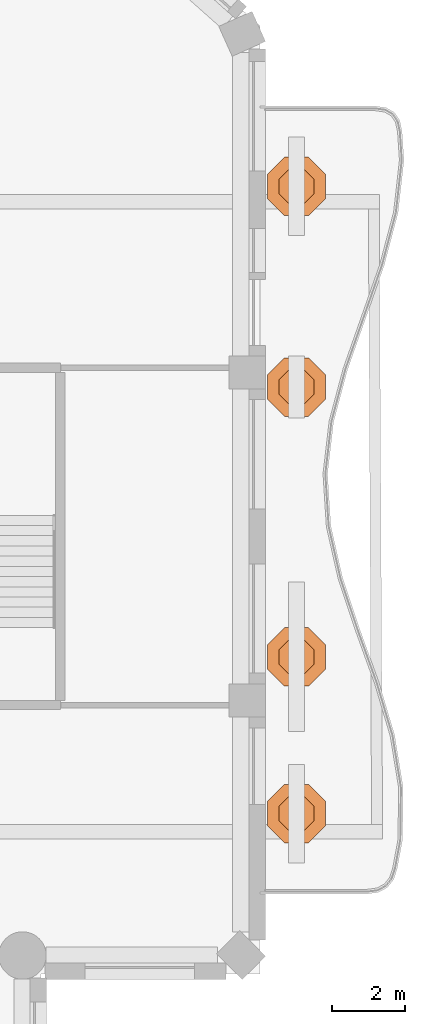
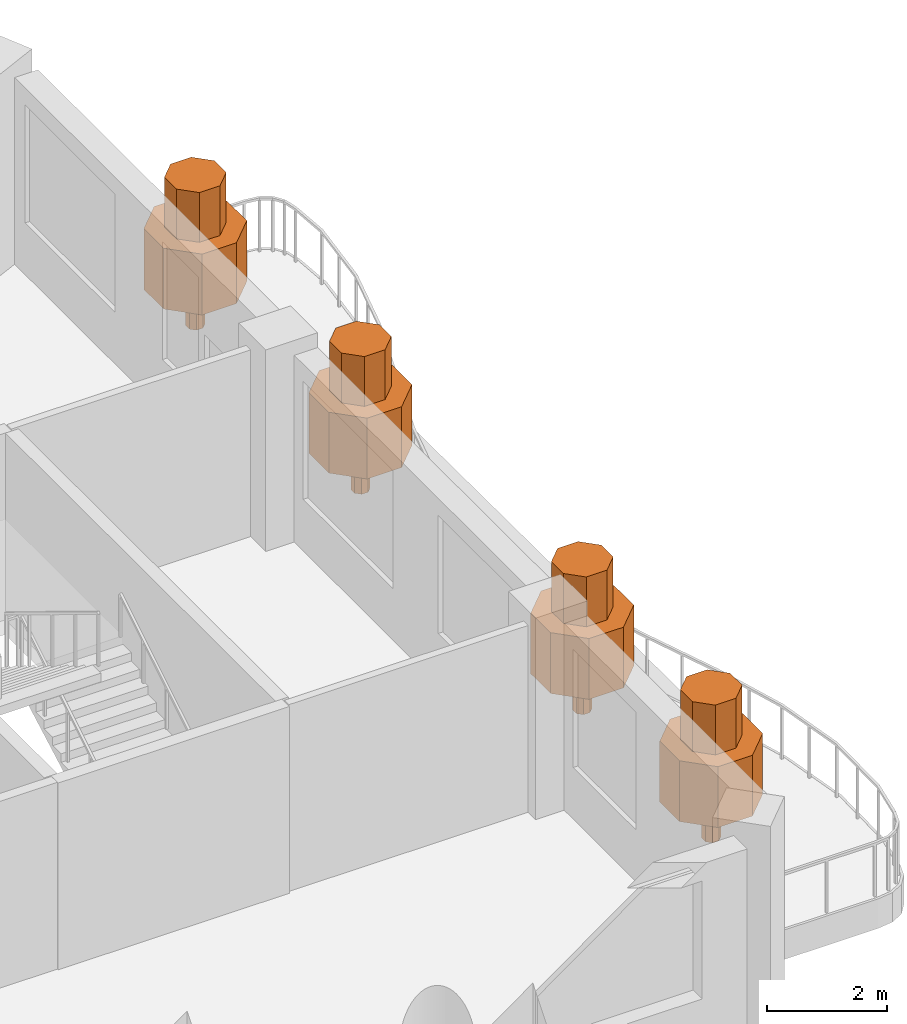
# One storey, part 14 of 14: 4 geographic elements.
"""IFC4 building model written with IfcOpenShell, lengths in metres."""

from ifc_helpers import new_model, si_unit, direction, frame, origin, place, context, subcontext, project, spatial, polyline, outline, extrude, material, type_object, element, save


model = new_model("IFC4")

# Units and contexts
model_context = context("Model", 3, precision=1e-05, world=origin(), true_north=direction((0.0, 1.0)))
body_context = subcontext(model_context, "Body", "Model", "MODEL_VIEW")
ifc_project = project(units=[si_unit("LENGTHUNIT", "METRE"), si_unit("AREAUNIT", "SQUARE_METRE"), si_unit("VOLUMEUNIT", "CUBIC_METRE"), si_unit("PLANEANGLEUNIT", "RADIAN"), si_unit("MASSUNIT", "GRAM", prefix="KILO")], contexts=[model_context])

# Site, building, storey
site_placement = place(None, origin())
site = spatial("IfcSite", under=ifc_project, at=site_placement, CompositionType="ELEMENT")
building_placement = place(site_placement, origin())
building = spatial("IfcBuilding", under=site, at=building_placement, Name="Cypress Arch Tower", CompositionType="ELEMENT")
storey_placement = place(building_placement, frame((0.0, 0.0, 268.0)))
storey = spatial("IfcBuildingStorey", under=building, at=storey_placement, Name="L60", CompositionType="ELEMENT", Elevation=268.0)

# Geographic elements
ifc_material = material(Name="Foliage and planting")
geographic_element_type = type_object("IfcGeographicElementType", Name="Balcony tree TR", PredefinedType="USERDEFINED", material=ifc_material)
for number, where, z_axis, x_axis, name in (
    (1, (25.60009765625, -7.60009765625, 0.60009765625), (0.0, 0.0, 1.0), (1.0, 0.0, 0.0), "Balcony tree L60-C17.1"),
    (2, (25.60009765625, -3.300048828125, 0.60009765625), (0.0, 0.0, 1.0), (1.0, 0.0, 0.0), "Balcony tree L60-C17.2"),
    (3, (25.60009765625, 4.095703125, 0.60009765625), (0.0, 0.0, 1.0), (1.0, 0.0, 0.0), "Balcony tree L60-C17.3"),
    (4, (25.60009765625, 9.60009765625, 0.60009765625), (0.0, 0.0, 1.0), (1.0, 0.0, 0.0), "Balcony tree L60-C17.4"),
):
    element("IfcGeographicElement", number, at=place(storey_placement, frame(where, z_axis=z_axis, x_axis=x_axis)), inside=storey, type_object=geographic_element_type, Name=name, ObjectType="TREE", PredefinedType="USERDEFINED", context=body_context, shape_type="SweptSolid", body=[
        extrude(outline(polyline([(0.14990234375, 0.06201171875), (0.06201171875, 0.14990234375), (-0.06201171875, 0.14990234375), (-0.14990234375, 0.06201171875), (-0.14990234375, -0.06201171875), (-0.06201171875, -0.14990234375), (0.06201171875, -0.14990234375), (0.14990234375, -0.06201171875), (0.14990234375, 0.06201171875)])), origin(), (0.0, 0.0, 1.0), 0.89990234375),
        extrude(outline(polyline([(0.800048828125, 0.331298828125), (0.331298828125, 0.800048828125), (-0.331298828125, 0.800048828125), (-0.800048828125, 0.331298828125), (-0.800048828125, -0.331298828125), (-0.331298828125, -0.800048828125), (0.331298828125, -0.800048828125), (0.800048828125, -0.331298828125), (0.800048828125, 0.331298828125)])), frame((0.0, 0.0, 0.800048828125)), (0.0, 0.0, 1.0), 1.237548828125),
        extrude(outline(polyline([(0.47998046875, 0.19873046875), (0.19873046875, 0.47998046875), (-0.19873046875, 0.47998046875), (-0.47998046875, 0.19873046875), (-0.47998046875, -0.19873046875), (-0.19873046875, -0.47998046875), (0.19873046875, -0.47998046875), (0.47998046875, -0.19873046875), (0.47998046875, 0.19873046875)])), frame((0.0, 0.0, 2.03759765625)), (0.0, 0.0, 1.0), 1.012451171875),
    ])

save(model, "model.ifc")
